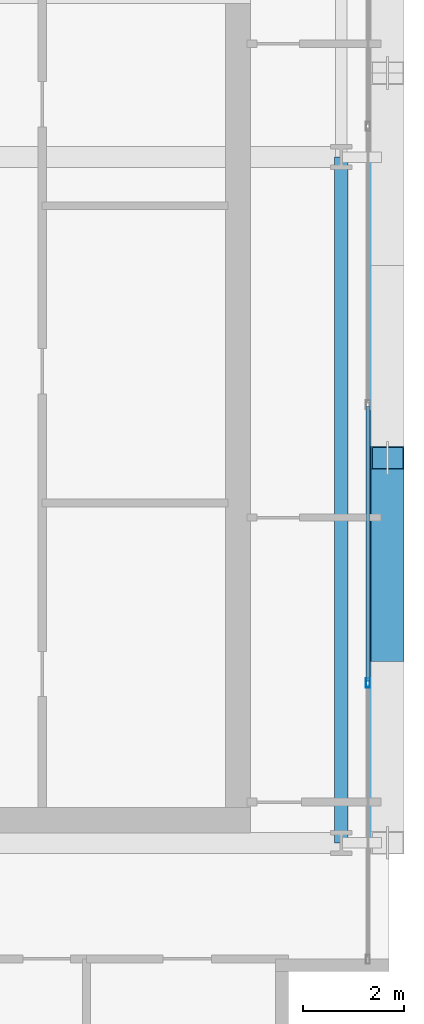
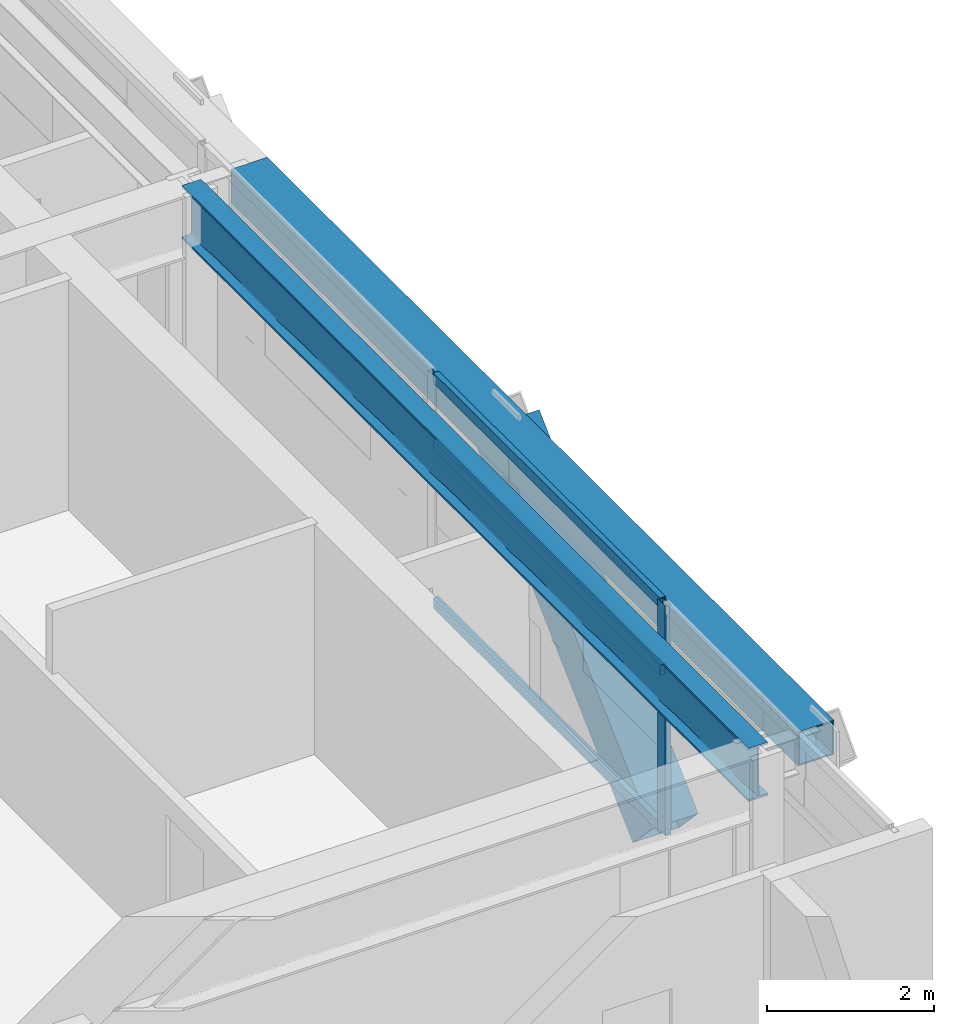
# One storey, part 12 of 32: 5 members, 2 beams, 1 element without a shape of its own.
"""IFC4 building model written with IfcOpenShell, lengths in metres."""

from ifc_helpers import new_model, si_unit, direction, frame, origin, origin_2d, place, context, subcontext, project, spatial, hollow_rectangle, i_section, extrude, source, transform, mapped, material, layer, layer_set, material_profile, profile_set, type_object, element, aggregate, save


model = new_model("IFC4")

# Units and contexts
model_context = context("Model", 3, precision=1e-05, world=origin(), true_north=direction((0.0, 1.0)))
body_context = subcontext(model_context, "Body", "Model", "MODEL_VIEW")
ifc_project = project(units=[si_unit("LENGTHUNIT", "METRE"), si_unit("AREAUNIT", "SQUARE_METRE"), si_unit("VOLUMEUNIT", "CUBIC_METRE"), si_unit("PLANEANGLEUNIT", "RADIAN"), si_unit("MASSUNIT", "GRAM", prefix="KILO")], contexts=[model_context])

# Site, building, storey
site_placement = place(None, origin())
site = spatial("IfcSite", under=ifc_project, at=site_placement, CompositionType="ELEMENT")
building_placement = place(site_placement, origin())
building = spatial("IfcBuilding", under=site, at=building_placement, Name="Ocotamira Hotel", CompositionType="ELEMENT")
storey_placement = place(building_placement, frame((0.0, 0.0, 213.60009765625)))
storey = spatial("IfcBuildingStorey", under=building, at=storey_placement, Name="L54", CompositionType="ELEMENT", Elevation=213.60009765625)

# Beams
ifc_material_1 = material(Name="Steel ASTM A992 Grade 50", Category="steel")
ifc_material_profile_1 = material_profile(ifc_material_1, i_section(OverallWidth=0.26611328125, OverallDepth=0.779052734375, WebThickness=0.0166015625, FlangeThickness=0.030029296875, FilletRadius=0.01806640625, at=origin_2d()), Name="W30X148")
ifc_profile_set_1 = profile_set([ifc_material_profile_1], Name="Steel ASTM A992 Grade 50")
beam_type_1 = type_object("IfcBeamType", Name="BM-GIRD-W30X148", PredefinedType="BEAM", material=ifc_profile_set_1)
shared_shape_1 = source(origin(), body_context, "Body", "SweptSolid", [
    extrude(i_section(OverallWidth=0.26611328125, OverallDepth=0.779052734375, WebThickness=0.0166015625, FlangeThickness=0.030029296875, FilletRadius=0.01806640625, at=origin_2d()), origin(), (0.0, 0.0, 1.0), 13.599853515625),
])
beam_1_placement = place(storey_placement, frame((55.050048828125, 14.550048828125, 2.98046875), z_axis=(0.0, 1.0, 0.0), x_axis=(-1.0, 0.0, 0.0)))
element("IfcBeam", 1, at=beam_1_placement, inside=storey, type_object=beam_type_1, Name="L54 Beam X55.05 Y14.55-28.15", PredefinedType="BEAM", context=body_context, shape_type="MappedRepresentation", body=[
    mapped(shared_shape_1, transform((0.0, 0.0, 0.0), scale=1.0)),
])
ifc_material_2 = material(Name="Steel ASTM A500 Grade C", Category="steel")
ifc_material_profile_2 = material_profile(ifc_material_2, hollow_rectangle(XDim=0.5, YDim=0.5, WallThickness=0.02001953125, at=origin_2d()), Name="HSS500X500X20")
ifc_profile_set_2 = profile_set([ifc_material_profile_2], Name="Steel ASTM A500 Grade C")
beam_type_2 = type_object("IfcBeamType", Name="BM-SPAN-HSS500", PredefinedType="USERDEFINED", material=ifc_profile_set_2)
shared_shape_2 = source(origin(), body_context, "Body", "SweptSolid", [
    extrude(hollow_rectangle(XDim=0.5, YDim=0.5, WallThickness=0.02001953125, at=origin_2d()), origin(), (0.0, 0.0, 1.0), 13.599853515625),
])
beam_2_placement = place(storey_placement, frame((55.85009765625, 14.550048828125, 3.119873046875), z_axis=(0.0, 1.0, 0.0), x_axis=(-1.0, 0.0, 0.0)))
element("IfcBeam", 2, at=beam_2_placement, inside=storey, type_object=beam_type_2, Name="L54 Edge Spandrel E Y14.55-28.15", ObjectType="SPANDREL", PredefinedType="USERDEFINED", context=body_context, shape_type="MappedRepresentation", body=[
    mapped(shared_shape_2, transform((0.0, 0.0, 0.0), scale=1.0)),
])

# Member
ifc_material_3 = material(Name="Pale-metal coated steel ASTM A913 Grade 65", Category="steel")
ifc_material_profile_3 = material_profile(ifc_material_3, hollow_rectangle(XDim=0.64990234375, YDim=0.64990234375, WallThickness=0.02197265625, at=origin_2d()), Name="BOX650X650X22")
ifc_profile_set_3 = profile_set([ifc_material_profile_3], Name="Pale-metal coated steel ASTM A913 Grade 65")
member_type_1 = type_object("IfcMemberType", Name="MEM-EXO-BOX650", PredefinedType="BRACE", material=ifc_profile_set_3)
shared_shape_3 = source(origin(), body_context, "Body", "SweptSolid", [
    extrude(hollow_rectangle(XDim=0.64990234375, YDim=0.64990234375, WallThickness=0.02197265625, at=origin_2d()), origin(), (0.0, 0.0, 1.0), 5.24658203125),
])
member_1_placement = place(storey_placement, frame((55.969970703125, 18.36669921875, -0.47998046875), z_axis=(0.0, 0.72746596067, 0.686143772154), x_axis=(-1.0, 0.0, 0.0)))
element("IfcMember", 3, at=member_1_placement, inside=storey, type_object=member_type_1, Name="L54 Exoskeleton Diagrid E0.2", PredefinedType="BRACE", context=body_context, shape_type="MappedRepresentation", body=[
    mapped(shared_shape_3, transform((0.0, 0.0, 0.0), scale=1.0)),
])

# Curtain wall, members
ifc_material_4 = material(Name="Anodised pale-metal aluminium and solar glass", Category="aluminium")
ifc_layer = layer(ifc_material_4, 0.199951171875)
ifc_layer_set = layer_set([ifc_layer], Name="Anodised pale-metal aluminium and solar glass")
curtain_wall_type = type_object("IfcCurtainWallType", Name="CW-SYS4-Z3", PredefinedType="NOTDEFINED", material=ifc_layer_set)
curtain_wall_placement = place(storey_placement, origin())
curtain_wall = element("IfcCurtainWall", 4, at=curtain_wall_placement, inside=storey, type_object=curtain_wall_type, Name="L54 Curtain Wall CW-4 CW-L54-E", PredefinedType="NOTDEFINED")
ifc_material_5 = material(Name="Anodised pale-metal aluminium 6063-T6", Category="aluminium")
ifc_material_profile_4 = material_profile(ifc_material_5, hollow_rectangle(XDim=0.074951171875, YDim=0.14990234375, WallThickness=0.006103515625, at=origin_2d()), Name="HSS150X75X6")
ifc_profile_set_4 = profile_set([ifc_material_profile_4], Name="Anodised pale-metal aluminium 6063-T6")
member_type_2 = type_object("IfcMemberType", Name="CWT-150X75", PredefinedType="USERDEFINED", material=ifc_profile_set_4)
shared_shape_4 = source(origin(), body_context, "Body", "SweptSolid", [
    extrude(hollow_rectangle(XDim=0.074951171875, YDim=0.14990234375, WallThickness=0.006103515625, at=origin_2d()), origin(), (0.0, 0.0, 1.0), 5.43994140625),
])
member_2_placement = place(storey_placement, frame((55.580078125, 17.760009765625, 0.037353515625), z_axis=(0.0, 1.0, 0.0), x_axis=(-1.0, 0.0, 0.0)))
member_2 = element("IfcMember", 5, at=member_2_placement, type_object=member_type_2, Name="CW-4 transom 2.1", ObjectType="TRANSOM", PredefinedType="USERDEFINED", context=body_context, shape_type="MappedRepresentation", body=[
    mapped(shared_shape_4, transform((0.0, 0.0, 0.0), scale=1.0)),
])
member_3_placement = place(storey_placement, frame((55.580078125, 17.760009765625, 2.349853515625), z_axis=(0.0, 1.0, 0.0), x_axis=(-1.0, 0.0, 0.0)))
member_3 = element("IfcMember", 6, at=member_3_placement, type_object=member_type_2, Name="CW-4 transom 2.2", ObjectType="TRANSOM", PredefinedType="USERDEFINED", context=body_context, shape_type="MappedRepresentation", body=[
    mapped(shared_shape_4, transform((0.0, 0.0, 0.0), scale=1.0)),
])
member_4_placement = place(storey_placement, frame((55.580078125, 17.760009765625, 3.33251953125), z_axis=(0.0, 1.0, 0.0), x_axis=(-1.0, 0.0, 0.0)))
member_4 = element("IfcMember", 7, at=member_4_placement, type_object=member_type_2, Name="CW-4 transom 2.3", ObjectType="TRANSOM", PredefinedType="USERDEFINED", context=body_context, shape_type="MappedRepresentation", body=[
    mapped(shared_shape_4, transform((0.0, 0.0, 0.0), scale=1.0)),
])
ifc_material_profile_5 = material_profile(ifc_material_5, hollow_rectangle(XDim=0.080078125, YDim=0.179931640625, WallThickness=0.006103515625, at=origin_2d()), Name="HSS180X80X6")
ifc_profile_set_5 = profile_set([ifc_material_profile_5], Name="Anodised pale-metal aluminium 6063-T6")
member_type_3 = type_object("IfcMemberType", Name="CWM-180X75", PredefinedType="MULLION", material=ifc_profile_set_5)
shared_shape_5 = source(origin(), body_context, "Body", "SweptSolid", [
    extrude(hollow_rectangle(XDim=0.080078125, YDim=0.179931640625, WallThickness=0.006103515625, at=origin_2d()), origin(), (0.0, 0.0, 1.0), 3.369873046875),
])
member_5_placement = place(storey_placement, frame((55.580078125, 17.719970703125, 0.0), z_axis=(0.0, 0.0, 1.0), x_axis=(-1.0, 0.0, 0.0)))
member_5 = element("IfcMember", 8, at=member_5_placement, type_object=member_type_3, Name="CW-4 mullion 2", PredefinedType="MULLION", context=body_context, shape_type="MappedRepresentation", body=[
    mapped(shared_shape_5, transform((0.0, 0.0, 0.0), scale=1.0)),
])
aggregate(curtain_wall, [member_5, member_2, member_3, member_4])

save(model, "model.ifc")
